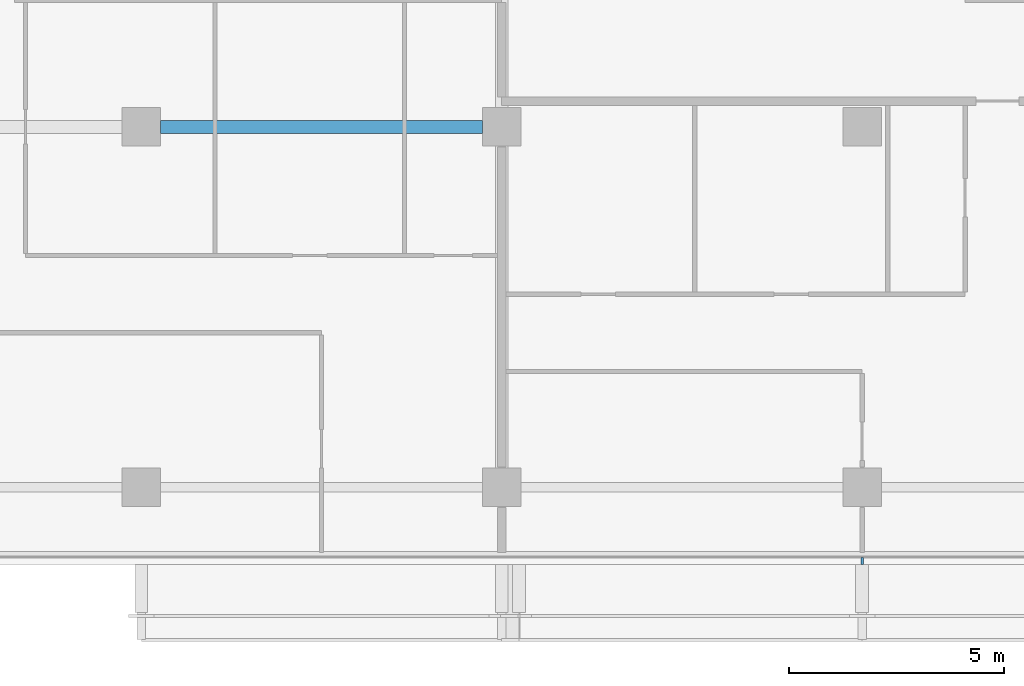
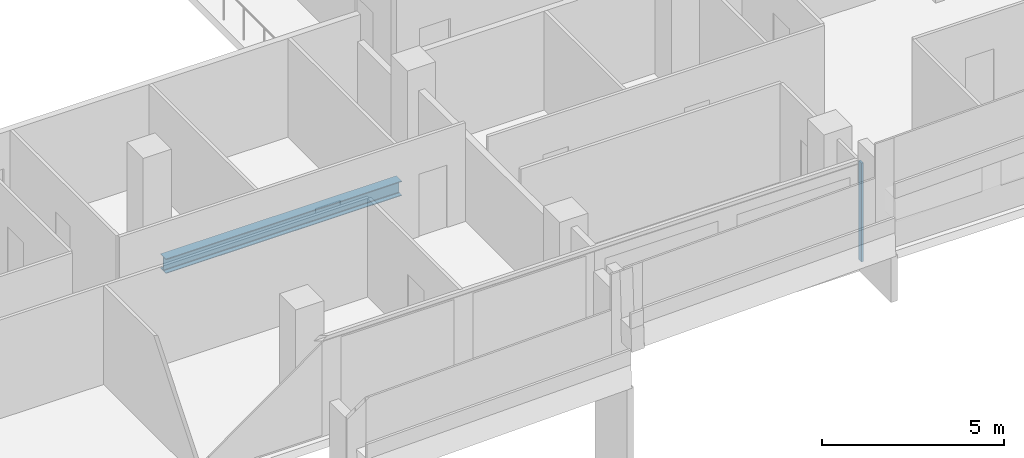
# One storey, part 6 of 27: 1 beam, 1 member, 1 element without a shape of its own.
"""IFC4 building model written with IfcOpenShell, lengths in metres."""

import ifcopenshell
import ifcopenshell.guid

model = None  # the IFC model being written
_history = None  # IfcOwnerHistory: only IFC2X3 demands one
_inside = {}  # id of a spatial element -> (the spatial element, [elements in it])
_under = {}  # id of a project, library or spatial element -> (it, [spatial elements below it])
_declared = {}  # id of a project -> (the project, [libraries it declares])
_typed = {}  # id of a type object -> (the type object, [elements of that type])
_made_of = {}  # id of a material, layer set ... -> (it, [elements and type objects made of it])


def new_model(schema):
    """Start an empty IFC model of exactly this schema.

    Asked for "IFC4X3", IfcOpenShell would pick the latest addendum, in which some entities
    have other attributes; the version numbers below select the first issue.
    IFC2X3 requires an IfcOwnerHistory on every rooted entity: one is made here for all.
    """
    global model, _history
    if schema == "IFC4X3":
        model = ifcopenshell.file(schema_version=(4, 3, 0, 0))
    else:
        model = ifcopenshell.file(schema=schema)
    _inside.clear()
    _under.clear()
    _declared.clear()
    _typed.clear()
    _made_of.clear()
    _history = None
    if model.schema == "IFC2X3":
        org = make("IfcOrganization", Name="unknown")
        user = make(
            "IfcPersonAndOrganization",
            ThePerson=make("IfcPerson", FamilyName="unknown"),
            TheOrganization=org,
        )
        app = make(
            "IfcApplication",
            ApplicationDeveloper=org,
            Version="unknown",
            ApplicationFullName="unknown",
            ApplicationIdentifier="unknown",
        )
        _history = make(
            "IfcOwnerHistory",
            OwningUser=user,
            OwningApplication=app,
            ChangeAction="ADDED",
            CreationDate=0,
        )
    return model


def make(cls, **values):
    """One entity of the class cls with the attributes given. An attribute that is None is left unset."""
    return model.create_entity(
        cls, **{name: value for name, value in values.items() if value is not None}
    )


def rooted(cls, **values):
    """An entity with a GlobalId (a new one), such as an element, a storey or a relation."""
    return make(cls, GlobalId=ifcopenshell.guid.new(), OwnerHistory=_history, **values)


def si_unit(unit_type, name, prefix=None):
    """IfcSIUnit, for example si_unit("LENGTHUNIT", "METRE", prefix="MILLI")."""
    return make("IfcSIUnit", UnitType=unit_type, Prefix=prefix, Name=name)


def assignment(units):
    """IfcUnitAssignment: the units of a project."""
    return None if units is None else make("IfcUnitAssignment", Units=units)


def point(xyz):
    """IfcCartesianPoint."""
    return None if xyz is None else make("IfcCartesianPoint", Coordinates=xyz)


def direction(xyz):
    """IfcDirection."""
    return None if xyz is None else make("IfcDirection", DirectionRatios=xyz)


def frame(location, z_axis=None, x_axis=None):
    """IfcAxis2Placement3D, a coordinate frame: its origin and axes. An axis left out is left unset."""
    return make(
        "IfcAxis2Placement3D",
        Location=point(location),
        Axis=direction(z_axis),
        RefDirection=direction(x_axis),
    )


def frame_2d(location, x_axis=None):
    """IfcAxis2Placement2D, a coordinate frame in the plane: its origin and x axis."""
    return make(
        "IfcAxis2Placement2D", Location=point(location), RefDirection=direction(x_axis)
    )


def origin():
    """The frame at (0, 0, 0) with its axes left unset."""
    return frame((0.0, 0.0, 0.0))


def origin_2d():
    """The frame at (0, 0) in the plane with its x axis left unset."""
    return frame_2d((0.0, 0.0))


def place(relative_to, where):
    """IfcLocalPlacement: puts the frame where relative to a parent placement (None: the world)."""
    return make(
        "IfcLocalPlacement", PlacementRelTo=relative_to, RelativePlacement=where
    )


def context(
    kind, dimensions, precision=None, world=None, true_north=None, identifier=None
):
    """IfcGeometricRepresentationContext, for example the 3D "Model" context."""
    return make(
        "IfcGeometricRepresentationContext",
        ContextIdentifier=identifier,
        ContextType=kind,
        CoordinateSpaceDimension=dimensions,
        Precision=precision,
        WorldCoordinateSystem=world,
        TrueNorth=true_north,
    )


def subcontext(parent, identifier, kind, view, scale=None):
    """IfcGeometricRepresentationSubContext, for example "Body" below "Model"."""
    return make(
        "IfcGeometricRepresentationSubContext",
        ContextIdentifier=identifier,
        ContextType=kind,
        ParentContext=parent,
        TargetScale=scale,
        TargetView=view,
    )


def project(units=None, contexts=None):
    """IfcProject with its units and contexts."""
    return rooted(
        "IfcProject",
        Name="project",
        RepresentationContexts=contexts,
        UnitsInContext=assignment(units),
    )


def spatial(cls, under=None, at=None, **own):
    """A site, building, storey or space (cls), placed at a placement, below another one or the project."""
    s = rooted(cls, ObjectPlacement=at, **own)
    if under is not None:
        _under.setdefault(under.id(), (under, []))[1].append(s)
    return s


def profile(cls, at=None, kind="AREA", **sizes):
    """A parametric profile (cls). Its sizes go by their IFC names, for example OverallWidth=200.0."""
    return make(cls, ProfileType=kind, Position=at, **sizes)


def rectangle(**sizes):
    """IfcRectangleProfileDef."""
    return profile("IfcRectangleProfileDef", **sizes)


def i_section(**sizes):
    """IfcIShapeProfileDef."""
    return profile("IfcIShapeProfileDef", **sizes)


def extrude(swept, where, along, depth):
    """IfcExtrudedAreaSolid: the profile swept, set in the frame where, extruded along a direction by depth."""
    return make(
        "IfcExtrudedAreaSolid",
        SweptArea=swept,
        Position=where,
        ExtrudedDirection=direction(along),
        Depth=depth,
    )


def shape(context_of_items, identifier, shape_type, items):
    """IfcShapeRepresentation: the items that make up one representation, for example the "Body"."""
    return make(
        "IfcShapeRepresentation",
        ContextOfItems=context_of_items,
        RepresentationIdentifier=identifier,
        RepresentationType=shape_type,
        Items=items,
    )


def material(Name=None, Category=None):
    """IfcMaterial."""
    return make("IfcMaterial", Name=Name, Category=Category)


def material_profile(
    of_material, cross_section, Name=None, Category=None, Priority=None
):
    """IfcMaterialProfile: a cross section and its material."""
    return make(
        "IfcMaterialProfile",
        Name=Name,
        Material=of_material,
        Profile=cross_section,
        Priority=Priority,
        Category=Category,
    )


def profile_set(profiles, Name=None, composite=None):
    """IfcMaterialProfileSet."""
    return make(
        "IfcMaterialProfileSet",
        Name=Name,
        MaterialProfiles=profiles,
        CompositeProfile=composite,
    )


def made_of(thing, what):
    """Note that an element or type object is made of a material, layer set ...; save() writes the relation."""
    if what is not None:
        _made_of.setdefault(what.id(), (what, []))[1].append(thing)
    return thing


def type_object(cls, material=None, **own):
    """A type object (cls), such as IfcWallType, which elements share."""
    return made_of(rooted(cls, **own), material)


def element(
    cls,
    number,
    at=None,
    inside=None,
    cuts=None,
    type_object=None,
    material=None,
    context=None,
    identifier="Body",
    shape_type=None,
    held_by="IfcProductDefinitionShape",
    body=None,
    shapes=None,
    **own,
):
    """One element of the class cls, such as IfcWall. Its Tag is "e" and its number.

    at: its placement. inside: the storey or other place that contains it. cuts: it is an
    opening in that element (IfcRelVoidsElement). A single representation is given by context,
    identifier, shape_type and body (its items); several are given by shapes. held_by: the class
    of the entity that holds the representations. save() writes the other relations.
    """
    e = rooted(cls, Tag="e%d" % number, ObjectPlacement=at, **own)
    if body is not None:
        shapes = [shape(context, identifier, shape_type, body)]
    if shapes is not None:
        e.Representation = make(held_by, Representations=shapes)
    if inside is not None:
        _inside.setdefault(inside.id(), (inside, []))[1].append(e)
    if cuts is not None:
        rooted(
            "IfcRelVoidsElement", RelatingBuildingElement=cuts, RelatedOpeningElement=e
        )
    if type_object is not None:
        _typed.setdefault(type_object.id(), (type_object, []))[1].append(e)
    return made_of(e, material)


def aggregate(whole, parts):
    """IfcRelAggregates: a whole, such as a stair, and the parts it consists of."""
    return rooted("IfcRelAggregates", RelatingObject=whole, RelatedObjects=parts)


def save(model, path):
    """Write the relations noted so far, then the file.

    IfcRelAggregates (storeys below a building ...), IfcRelContainedInSpatialStructure (elements
    in a storey), IfcRelDefinesByType, IfcRelAssociatesMaterial and IfcRelDeclares: one each for
    every whole, place, type object, material and project.
    """
    for whole, parts in _under.values():
        aggregate(whole, parts)
    for where, things in _inside.values():
        rooted(
            "IfcRelContainedInSpatialStructure",
            RelatedElements=things,
            RelatingStructure=where,
        )
    for kind, things in _typed.values():
        rooted("IfcRelDefinesByType", RelatedObjects=things, RelatingType=kind)
    for what, things in _made_of.values():
        rooted("IfcRelAssociatesMaterial", RelatedObjects=things, RelatingMaterial=what)
    for by, libraries in _declared.values():
        rooted("IfcRelDeclares", RelatingContext=by, RelatedDefinitions=libraries)
    model.write(path)


model = new_model("IFC4")

# Units and contexts
model_context = context("Model", 3, precision=1e-05, world=origin(), true_north=direction((0.0, 1.0)))
body_context = subcontext(model_context, "Body", "Model", "MODEL_VIEW")
ifc_project = project(units=[si_unit("LENGTHUNIT", "METRE"), si_unit("AREAUNIT", "SQUARE_METRE"), si_unit("VOLUMEUNIT", "CUBIC_METRE"), si_unit("PLANEANGLEUNIT", "RADIAN"), si_unit("MASSUNIT", "GRAM", prefix="KILO")], contexts=[model_context])

# Site, building, storey
site_placement = place(None, origin())
site = spatial("IfcSite", under=ifc_project, at=site_placement, CompositionType="ELEMENT")
building_placement = place(site_placement, origin())
building = spatial("IfcBuilding", under=site, at=building_placement, Name="Saffron Gate Tower", CompositionType="ELEMENT")
storey_placement = place(building_placement, frame((0.0, 0.0, 66.0)))
storey = spatial("IfcBuildingStorey", under=building, at=storey_placement, Name="L15", CompositionType="ELEMENT", Elevation=66.0)

# Beam
ifc_material_1 = material(Name="Structural steel S355", Category="steel")
ifc_material_profile_1 = material_profile(ifc_material_1, i_section(OverallWidth=0.300048828125, OverallDepth=0.489990234375, WebThickness=0.011962890625, FlangeThickness=0.02294921875, FilletRadius=0.027099609375, at=origin_2d()))
ifc_profile_set_1 = profile_set([ifc_material_profile_1], Name="Structural steel S355")
beam_type = type_object("IfcBeamType", Name="B8 HEA 500", PredefinedType="BEAM", material=ifc_profile_set_1)
beam_placement = place(storey_placement, frame((92.25, 40.199951171875, -0.52490234375), z_axis=(1.0, 0.0, 0.0), x_axis=(0.0, 1.0, 0.0)))
element("IfcBeam", 1, at=beam_placement, inside=storey, type_object=beam_type, Name="B8 FLOOR GIRDER", PredefinedType="BEAM", context=body_context, shape_type="SweptSolid", body=[
    extrude(i_section(OverallWidth=0.300048828125, OverallDepth=0.489990234375, WebThickness=0.011962890625, FlangeThickness=0.02294921875, FilletRadius=0.027099609375, at=origin_2d()), origin(), (0.0, 0.0, 1.0), 7.5),
])

# Curtain wall, member
ifc_material_2 = material(Name="Aluminium, bronze anodised", Category="aluminium")
curtain_wall_type = type_object("IfcCurtainWallType", Name="CWS1 curtain wall front facade", PredefinedType="NOTDEFINED", material=ifc_material_2)
curtain_wall_placement = place(storey_placement, origin())
curtain_wall = element("IfcCurtainWall", 2, at=curtain_wall_placement, inside=storey, type_object=curtain_wall_type, Name="CWS1 run 1", PredefinedType="NOTDEFINED")
ifc_material_profile_2 = material_profile(ifc_material_2, rectangle(XDim=0.159912109375, YDim=0.06005859375, at=origin_2d()))
ifc_profile_set_2 = profile_set([ifc_material_profile_2], Name="Aluminium, bronze anodised")
member_type = type_object("IfcMemberType", Name="CWS1 mullion 60x160", PredefinedType="MULLION", material=ifc_profile_set_2)
member_placement = place(storey_placement, frame((108.60009765625, 30.080078125, 0.0), z_axis=(0.0, 0.0, 1.0), x_axis=(0.0, 1.0, 0.0)))
member = element("IfcMember", 3, at=member_placement, type_object=member_type, Name="CWS1 mullion 8", PredefinedType="MULLION", context=body_context, shape_type="SweptSolid", body=[
    extrude(rectangle(XDim=0.159912109375, YDim=0.06005859375, at=origin_2d()), origin(), (0.0, 0.0, 1.0), 3.320068359375),
])
aggregate(curtain_wall, [member])

save(model, "model.ifc")
